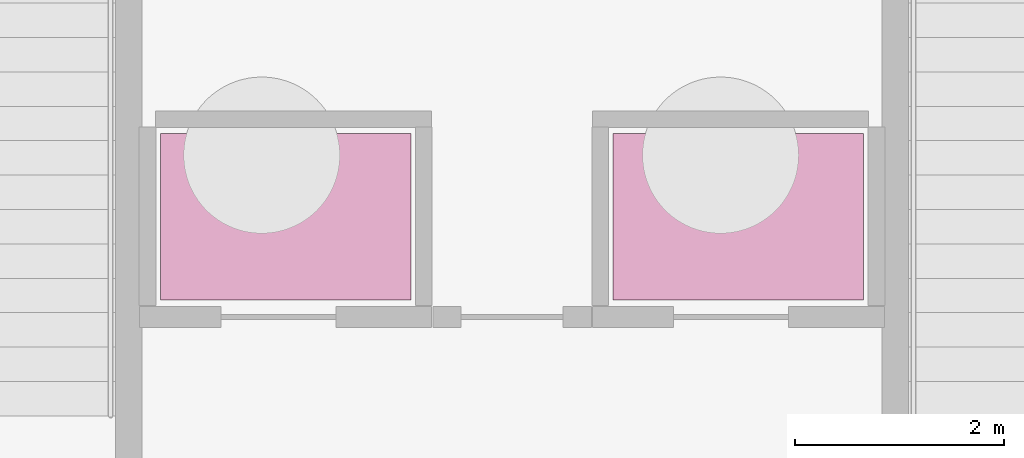
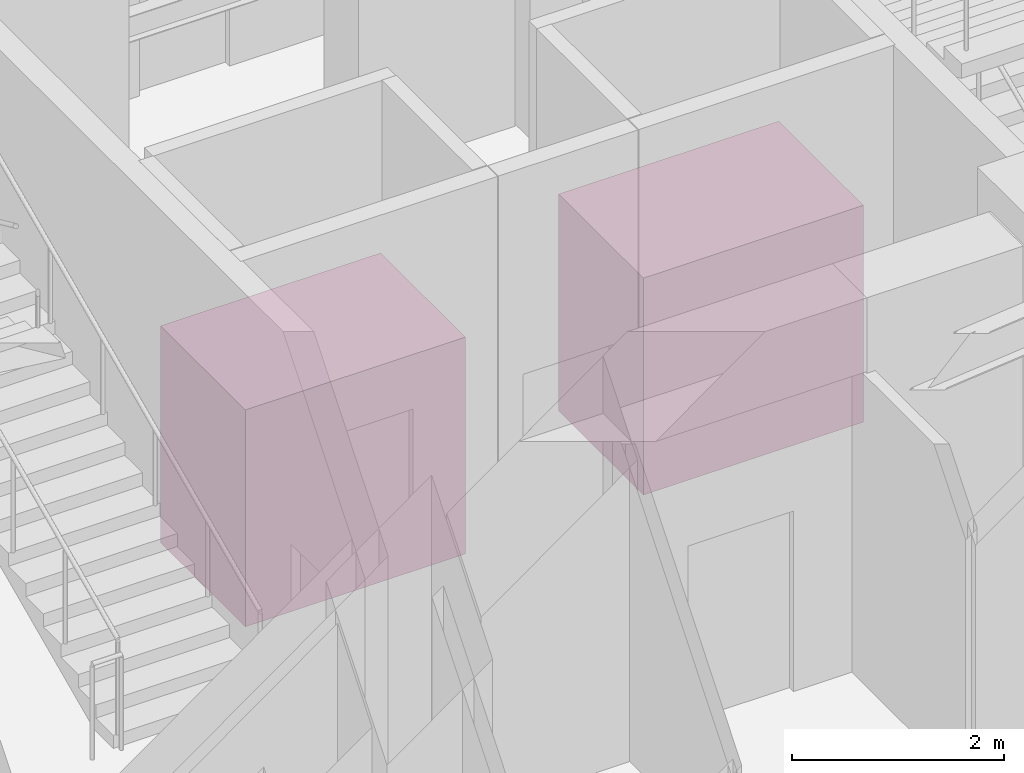
# One storey, part 7 of 7: 2 transport elements.
"""IFC4 building model written with IfcOpenShell, lengths in metres."""

from ifc_helpers import new_model, si_unit, direction, frame, origin, origin_2d, place, context, subcontext, project, spatial, rectangle, extrude, material, type_object, element, save


model = new_model("IFC4")

# Units and contexts
model_context = context("Model", 3, precision=1e-05, world=origin(), true_north=direction((0.0, 1.0)))
body_context = subcontext(model_context, "Body", "Model", "MODEL_VIEW")
ifc_project = project(units=[si_unit("LENGTHUNIT", "METRE"), si_unit("AREAUNIT", "SQUARE_METRE"), si_unit("VOLUMEUNIT", "CUBIC_METRE"), si_unit("PLANEANGLEUNIT", "RADIAN"), si_unit("MASSUNIT", "GRAM", prefix="KILO")], contexts=[model_context])

# Site, building, storey
site_placement = place(None, origin())
site = spatial("IfcSite", under=ifc_project, at=site_placement, CompositionType="ELEMENT")
building_placement = place(site_placement, origin())
building = spatial("IfcBuilding", under=site, at=building_placement, Name="Menara Vayukalpa", CompositionType="ELEMENT")
storey_placement = place(building_placement, frame((0.0, 0.0, -9.60009765625)))
storey = spatial("IfcBuildingStorey", under=building, at=storey_placement, Name="B02", CompositionType="ELEMENT", Elevation=-9.60009765625)

# Transport elements
ifc_material = material(Name="Brushed Stainless Steel 304 Lift Car", Category="steel")
transport_element_type = type_object("IfcTransportElementType", Name="LFT-FFL", PredefinedType="ELEVATOR", material=ifc_material)
for number, where, z_axis, x_axis, name in (
    (1, (23.429931640625, 21.409912109375, 0.0), (0.0, 0.0, 1.0), (1.0, 0.0, 0.0), "Firefighting Lift FFL-1"),
    (2, (27.77001953125, 21.409912109375, 0.0), (0.0, 0.0, 1.0), (1.0, 0.0, 0.0), "Firefighting Lift FFL-2"),
):
    element("IfcTransportElement", number, at=place(storey_placement, frame(where, z_axis=z_axis, x_axis=x_axis)), inside=storey, type_object=transport_element_type, Name=name, PredefinedType="ELEVATOR", context=body_context, shape_type="SweptSolid", body=[
        extrude(rectangle(XDim=2.39990234375, YDim=1.60009765625, at=origin_2d()), origin(), (0.0, 0.0, 1.0), 2.5),
    ])

save(model, "model.ifc")
